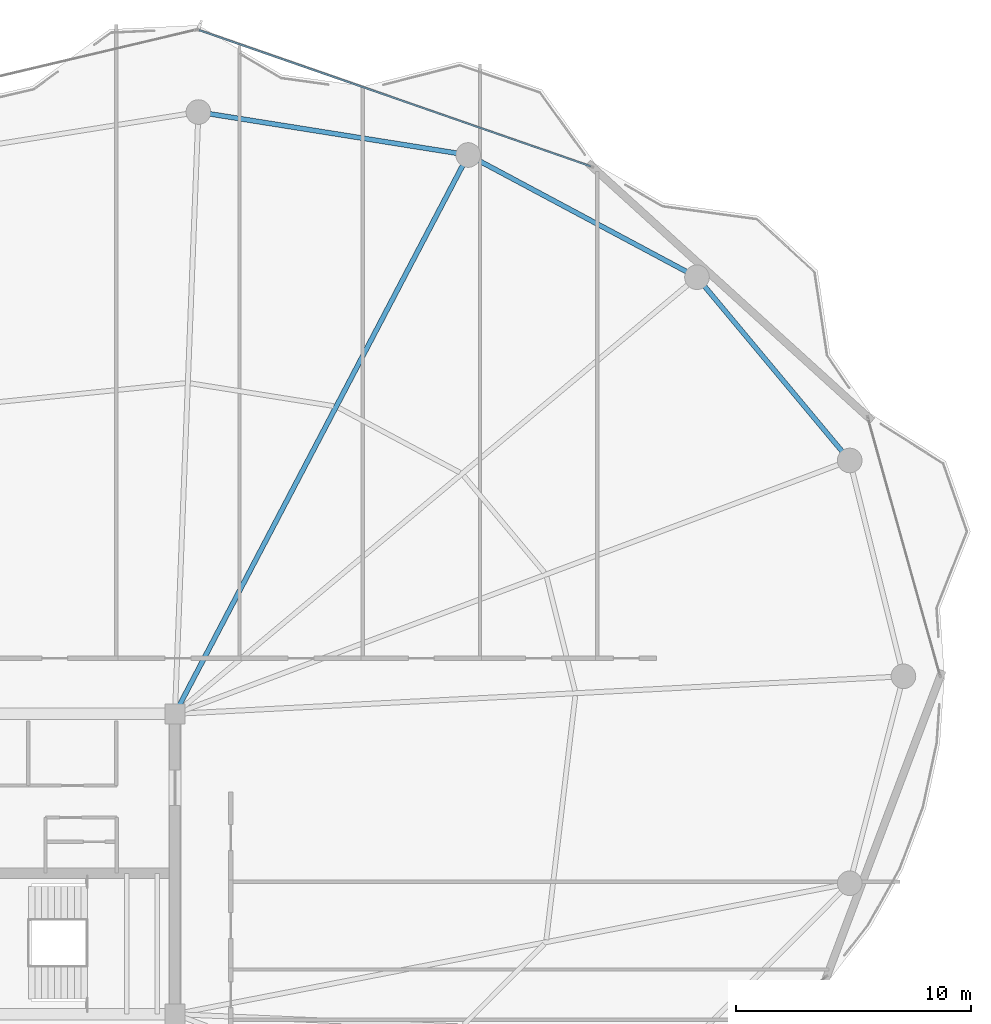
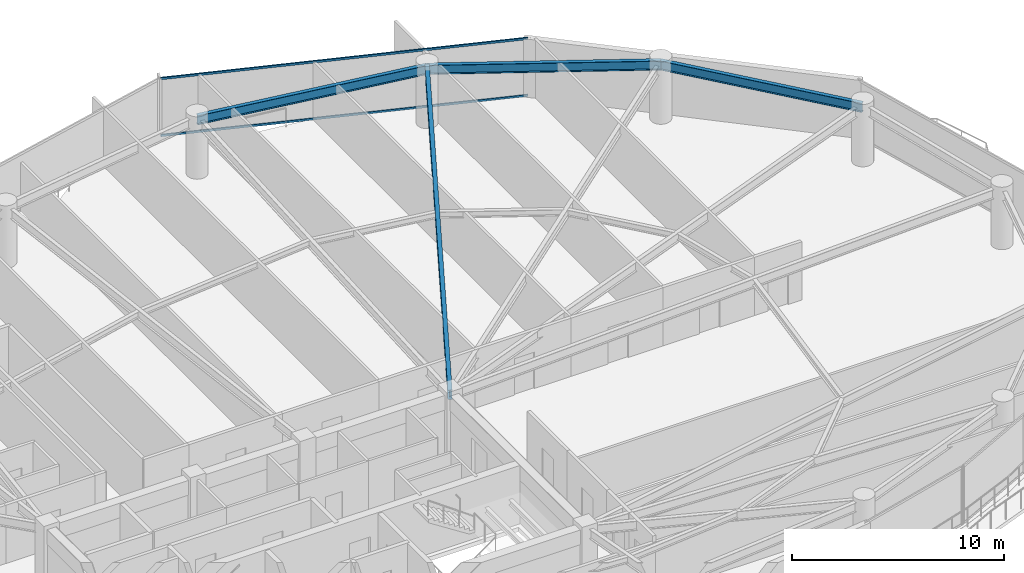
# One storey, part 20 of 29: 4 beams, 2 members, 1 element without a shape of its own.
"""IFC4 building model written with IfcOpenShell, lengths in metres."""

import ifcopenshell
import ifcopenshell.guid

model = None  # the IFC model being written
_history = None  # IfcOwnerHistory: only IFC2X3 demands one
_inside = {}  # id of a spatial element -> (the spatial element, [elements in it])
_under = {}  # id of a project, library or spatial element -> (it, [spatial elements below it])
_declared = {}  # id of a project -> (the project, [libraries it declares])
_typed = {}  # id of a type object -> (the type object, [elements of that type])
_made_of = {}  # id of a material, layer set ... -> (it, [elements and type objects made of it])


def new_model(schema):
    """Start an empty IFC model of exactly this schema.

    Asked for "IFC4X3", IfcOpenShell would pick the latest addendum, in which some entities
    have other attributes; the version numbers below select the first issue.
    IFC2X3 requires an IfcOwnerHistory on every rooted entity: one is made here for all.
    """
    global model, _history
    if schema == "IFC4X3":
        model = ifcopenshell.file(schema_version=(4, 3, 0, 0))
    else:
        model = ifcopenshell.file(schema=schema)
    _inside.clear()
    _under.clear()
    _declared.clear()
    _typed.clear()
    _made_of.clear()
    _history = None
    if model.schema == "IFC2X3":
        org = make("IfcOrganization", Name="unknown")
        user = make(
            "IfcPersonAndOrganization",
            ThePerson=make("IfcPerson", FamilyName="unknown"),
            TheOrganization=org,
        )
        app = make(
            "IfcApplication",
            ApplicationDeveloper=org,
            Version="unknown",
            ApplicationFullName="unknown",
            ApplicationIdentifier="unknown",
        )
        _history = make(
            "IfcOwnerHistory",
            OwningUser=user,
            OwningApplication=app,
            ChangeAction="ADDED",
            CreationDate=0,
        )
    return model


def make(cls, **values):
    """One entity of the class cls with the attributes given. An attribute that is None is left unset."""
    return model.create_entity(
        cls, **{name: value for name, value in values.items() if value is not None}
    )


def rooted(cls, **values):
    """An entity with a GlobalId (a new one), such as an element, a storey or a relation."""
    return make(cls, GlobalId=ifcopenshell.guid.new(), OwnerHistory=_history, **values)


def si_unit(unit_type, name, prefix=None):
    """IfcSIUnit, for example si_unit("LENGTHUNIT", "METRE", prefix="MILLI")."""
    return make("IfcSIUnit", UnitType=unit_type, Prefix=prefix, Name=name)


def assignment(units):
    """IfcUnitAssignment: the units of a project."""
    return None if units is None else make("IfcUnitAssignment", Units=units)


def point(xyz):
    """IfcCartesianPoint."""
    return None if xyz is None else make("IfcCartesianPoint", Coordinates=xyz)


def direction(xyz):
    """IfcDirection."""
    return None if xyz is None else make("IfcDirection", DirectionRatios=xyz)


def frame(location, z_axis=None, x_axis=None):
    """IfcAxis2Placement3D, a coordinate frame: its origin and axes. An axis left out is left unset."""
    return make(
        "IfcAxis2Placement3D",
        Location=point(location),
        Axis=direction(z_axis),
        RefDirection=direction(x_axis),
    )


def frame_2d(location, x_axis=None):
    """IfcAxis2Placement2D, a coordinate frame in the plane: its origin and x axis."""
    return make(
        "IfcAxis2Placement2D", Location=point(location), RefDirection=direction(x_axis)
    )


def origin():
    """The frame at (0, 0, 0) with its axes left unset."""
    return frame((0.0, 0.0, 0.0))


def origin_2d():
    """The frame at (0, 0) in the plane with its x axis left unset."""
    return frame_2d((0.0, 0.0))


def place(relative_to, where):
    """IfcLocalPlacement: puts the frame where relative to a parent placement (None: the world)."""
    return make(
        "IfcLocalPlacement", PlacementRelTo=relative_to, RelativePlacement=where
    )


def context(
    kind, dimensions, precision=None, world=None, true_north=None, identifier=None
):
    """IfcGeometricRepresentationContext, for example the 3D "Model" context."""
    return make(
        "IfcGeometricRepresentationContext",
        ContextIdentifier=identifier,
        ContextType=kind,
        CoordinateSpaceDimension=dimensions,
        Precision=precision,
        WorldCoordinateSystem=world,
        TrueNorth=true_north,
    )


def subcontext(parent, identifier, kind, view, scale=None):
    """IfcGeometricRepresentationSubContext, for example "Body" below "Model"."""
    return make(
        "IfcGeometricRepresentationSubContext",
        ContextIdentifier=identifier,
        ContextType=kind,
        ParentContext=parent,
        TargetScale=scale,
        TargetView=view,
    )


def project(units=None, contexts=None):
    """IfcProject with its units and contexts."""
    return rooted(
        "IfcProject",
        Name="project",
        RepresentationContexts=contexts,
        UnitsInContext=assignment(units),
    )


def spatial(cls, under=None, at=None, **own):
    """A site, building, storey or space (cls), placed at a placement, below another one or the project."""
    s = rooted(cls, ObjectPlacement=at, **own)
    if under is not None:
        _under.setdefault(under.id(), (under, []))[1].append(s)
    return s


def profile(cls, at=None, kind="AREA", **sizes):
    """A parametric profile (cls). Its sizes go by their IFC names, for example OverallWidth=200.0."""
    return make(cls, ProfileType=kind, Position=at, **sizes)


def hollow_rectangle(**sizes):
    """IfcRectangleHollowProfileDef."""
    return profile("IfcRectangleHollowProfileDef", **sizes)


def i_section(**sizes):
    """IfcIShapeProfileDef."""
    return profile("IfcIShapeProfileDef", **sizes)


def extrude(swept, where, along, depth):
    """IfcExtrudedAreaSolid: the profile swept, set in the frame where, extruded along a direction by depth."""
    return make(
        "IfcExtrudedAreaSolid",
        SweptArea=swept,
        Position=where,
        ExtrudedDirection=direction(along),
        Depth=depth,
    )


def shape(context_of_items, identifier, shape_type, items):
    """IfcShapeRepresentation: the items that make up one representation, for example the "Body"."""
    return make(
        "IfcShapeRepresentation",
        ContextOfItems=context_of_items,
        RepresentationIdentifier=identifier,
        RepresentationType=shape_type,
        Items=items,
    )


def material(Name=None, Category=None):
    """IfcMaterial."""
    return make("IfcMaterial", Name=Name, Category=Category)


def layer(
    of_material, thickness, ventilated=None, Name=None, Category=None, Priority=None
):
    """IfcMaterialLayer: one layer of a wall or slab, of a material (None: an air gap)."""
    return make(
        "IfcMaterialLayer",
        Material=of_material,
        LayerThickness=thickness,
        IsVentilated=ventilated,
        Name=Name,
        Category=Category,
        Priority=Priority,
    )


def layer_set(layers, Name=None):
    """IfcMaterialLayerSet."""
    return make("IfcMaterialLayerSet", MaterialLayers=layers, LayerSetName=Name)


def material_profile(
    of_material, cross_section, Name=None, Category=None, Priority=None
):
    """IfcMaterialProfile: a cross section and its material."""
    return make(
        "IfcMaterialProfile",
        Name=Name,
        Material=of_material,
        Profile=cross_section,
        Priority=Priority,
        Category=Category,
    )


def profile_set(profiles, Name=None, composite=None):
    """IfcMaterialProfileSet."""
    return make(
        "IfcMaterialProfileSet",
        Name=Name,
        MaterialProfiles=profiles,
        CompositeProfile=composite,
    )


def made_of(thing, what):
    """Note that an element or type object is made of a material, layer set ...; save() writes the relation."""
    if what is not None:
        _made_of.setdefault(what.id(), (what, []))[1].append(thing)
    return thing


def type_object(cls, material=None, **own):
    """A type object (cls), such as IfcWallType, which elements share."""
    return made_of(rooted(cls, **own), material)


def element(
    cls,
    number,
    at=None,
    inside=None,
    cuts=None,
    type_object=None,
    material=None,
    context=None,
    identifier="Body",
    shape_type=None,
    held_by="IfcProductDefinitionShape",
    body=None,
    shapes=None,
    **own,
):
    """One element of the class cls, such as IfcWall. Its Tag is "e" and its number.

    at: its placement. inside: the storey or other place that contains it. cuts: it is an
    opening in that element (IfcRelVoidsElement). A single representation is given by context,
    identifier, shape_type and body (its items); several are given by shapes. held_by: the class
    of the entity that holds the representations. save() writes the other relations.
    """
    e = rooted(cls, Tag="e%d" % number, ObjectPlacement=at, **own)
    if body is not None:
        shapes = [shape(context, identifier, shape_type, body)]
    if shapes is not None:
        e.Representation = make(held_by, Representations=shapes)
    if inside is not None:
        _inside.setdefault(inside.id(), (inside, []))[1].append(e)
    if cuts is not None:
        rooted(
            "IfcRelVoidsElement", RelatingBuildingElement=cuts, RelatedOpeningElement=e
        )
    if type_object is not None:
        _typed.setdefault(type_object.id(), (type_object, []))[1].append(e)
    return made_of(e, material)


def aggregate(whole, parts):
    """IfcRelAggregates: a whole, such as a stair, and the parts it consists of."""
    return rooted("IfcRelAggregates", RelatingObject=whole, RelatedObjects=parts)


def save(model, path):
    """Write the relations noted so far, then the file.

    IfcRelAggregates (storeys below a building ...), IfcRelContainedInSpatialStructure (elements
    in a storey), IfcRelDefinesByType, IfcRelAssociatesMaterial and IfcRelDeclares: one each for
    every whole, place, type object, material and project.
    """
    for whole, parts in _under.values():
        aggregate(whole, parts)
    for where, things in _inside.values():
        rooted(
            "IfcRelContainedInSpatialStructure",
            RelatedElements=things,
            RelatingStructure=where,
        )
    for kind, things in _typed.values():
        rooted("IfcRelDefinesByType", RelatedObjects=things, RelatingType=kind)
    for what, things in _made_of.values():
        rooted("IfcRelAssociatesMaterial", RelatedObjects=things, RelatingMaterial=what)
    for by, libraries in _declared.values():
        rooted("IfcRelDeclares", RelatingContext=by, RelatedDefinitions=libraries)
    model.write(path)


model = new_model("IFC4")

# Units and contexts
model_context = context("Model", 3, precision=1e-05, world=origin(), true_north=direction((0.0, 1.0)))
body_context = subcontext(model_context, "Body", "Model", "MODEL_VIEW")
ifc_project = project(units=[si_unit("LENGTHUNIT", "METRE"), si_unit("AREAUNIT", "SQUARE_METRE"), si_unit("VOLUMEUNIT", "CUBIC_METRE"), si_unit("PLANEANGLEUNIT", "RADIAN"), si_unit("MASSUNIT", "GRAM", prefix="KILO")], contexts=[model_context])

# Site, building, storey
site_placement = place(None, origin())
site = spatial("IfcSite", under=ifc_project, at=site_placement, CompositionType="ELEMENT")
building_placement = place(site_placement, origin())
building = spatial("IfcBuilding", under=site, at=building_placement, Name="Kazevale Care Tower and Concert Hall", CompositionType="ELEMENT")
storey_placement = place(building_placement, frame((0.0, 0.0, 199.199951171875)))
storey = spatial("IfcBuildingStorey", under=building, at=storey_placement, Name="L52", CompositionType="ELEMENT", Elevation=199.199951171875)

# Curtain wall, members
ifc_material_1 = material(Name="Aluminium 6063-T6 and Low-E Glass", Category="aluminium")
ifc_layer = layer(ifc_material_1, 0.179931640625)
ifc_layer_set = layer_set([ifc_layer], Name="Aluminium 6063-T6 and Low-E Glass")
curtain_wall_type = type_object("IfcCurtainWallType", Name="Convex Checkerboard Finned Curtain Wall CW-2", PredefinedType="NOTDEFINED", material=ifc_layer_set)
curtain_wall_placement = place(storey_placement, origin())
curtain_wall = element("IfcCurtainWall", 1, at=curtain_wall_placement, inside=storey, type_object=curtain_wall_type, Name="cw:L52:f16", PredefinedType="NOTDEFINED")
ifc_material_2 = material(Name="Aluminium 6063-T6", Category="aluminium")
ifc_material_profile_1 = material_profile(ifc_material_2, hollow_rectangle(XDim=0.074951171875, YDim=0.1201171875, WallThickness=0.00390625, at=origin_2d()), Name="ALU75x120x4")
ifc_profile_set_1 = profile_set([ifc_material_profile_1], Name="Aluminium 6063-T6")
member_type = type_object("IfcMemberType", Name="CW-2 Transom ALU75x120x4", PredefinedType="USERDEFINED", material=ifc_profile_set_1)
member_1_placement = place(storey_placement, frame((45.029541015625, 65.541748046875, 0.03759765625), z_axis=(0.944475733242, -0.328581176146, 0.0), x_axis=(0.328581176146, 0.944475733242, 0.0)))
member_1 = element("IfcMember", 2, at=member_1_placement, type_object=member_type, Name="CW-2 transom 1.1", ObjectType="TRANSOM", PredefinedType="USERDEFINED", context=body_context, shape_type="SweptSolid", body=[
    extrude(hollow_rectangle(XDim=0.074951171875, YDim=0.1201171875, WallThickness=0.00390625, at=origin_2d()), origin(), (0.0, 0.0, 1.0), 17.671142578125),
])
member_2_placement = place(storey_placement, frame((45.029541015625, 65.541748046875, 3.322509765625), z_axis=(0.944475733242, -0.328581176146, 0.0), x_axis=(0.328581176146, 0.944475733242, 0.0)))
member_2 = element("IfcMember", 3, at=member_2_placement, type_object=member_type, Name="CW-2 transom 1.2", ObjectType="TRANSOM", PredefinedType="USERDEFINED", context=body_context, shape_type="SweptSolid", body=[
    extrude(hollow_rectangle(XDim=0.074951171875, YDim=0.1201171875, WallThickness=0.00390625, at=origin_2d()), origin(), (0.0, 0.0, 1.0), 17.671142578125),
])
aggregate(curtain_wall, [member_1, member_2])

# Beams
ifc_material_3 = material(Name="Steel ASTM A572 Gr 50", Category="steel")
ifc_material_profile_2 = material_profile(ifc_material_3, i_section(OverallWidth=0.2119140625, OverallDepth=0.5439453125, WebThickness=0.01318359375, FlangeThickness=0.021240234375, at=origin_2d()), Name="W530x123")
ifc_profile_set_2 = profile_set([ifc_material_profile_2], Name="Steel ASTM A572 Gr 50")
beam_type_1 = type_object("IfcBeamType", Name="Radial Floor Girder W530x123", PredefinedType="BEAM", material=ifc_profile_set_2)
beam_1_placement = place(storey_placement, frame((44.0, 36.39990234375, 3.088134765625), z_axis=(0.464672566396, 0.885482583702, 0.0), x_axis=(-0.885482583702, 0.464672566396, 0.0)))
element("IfcBeam", 4, at=beam_1_placement, inside=storey, type_object=beam_type_1, Name="beam:L52:rad:04", PredefinedType="BEAM", context=body_context, shape_type="SweptSolid", body=[
    extrude(i_section(OverallWidth=0.2119140625, OverallDepth=0.5439453125, WebThickness=0.01318359375, FlangeThickness=0.021240234375, at=origin_2d()), origin(), (0.0, 0.0, 1.0), 26.900634765625),
])
ifc_material_profile_3 = material_profile(ifc_material_3, i_section(OverallWidth=0.208984375, OverallDepth=0.532958984375, WebThickness=0.01025390625, FlangeThickness=0.015625, at=origin_2d()), Name="W530x92")
ifc_profile_set_3 = profile_set([ifc_material_profile_3], Name="Steel ASTM A572 Gr 50")
beam_type_2 = type_object("IfcBeamType", Name="Upper Ring Beam W530x92", PredefinedType="BEAM", material=ifc_profile_set_3)
beam_2_placement = place(storey_placement, frame((72.760009765625, 47.199951171875, 3.093505859375), z_axis=(-0.640278868102, 0.768142546056, 0.0), x_axis=(-0.768142546056, -0.640278868102, 0.0)))
element("IfcBeam", 5, at=beam_2_placement, inside=storey, type_object=beam_type_2, Name="beam:L52:ring:02", PredefinedType="BEAM", context=body_context, shape_type="SweptSolid", body=[
    extrude(i_section(OverallWidth=0.208984375, OverallDepth=0.532958984375, WebThickness=0.01025390625, FlangeThickness=0.015625, at=origin_2d()), origin(), (0.0, 0.0, 1.0), 10.16748046875),
])
beam_3_placement = place(storey_placement, frame((66.25, 55.010009765625, 3.093505859375), z_axis=(-0.881978519833, 0.471289603697, 0.0), x_axis=(-0.471289603697, -0.881978519833, 0.0)))
element("IfcBeam", 6, at=beam_3_placement, inside=storey, type_object=beam_type_2, Name="beam:L52:ring:03", PredefinedType="BEAM", context=body_context, shape_type="SweptSolid", body=[
    extrude(i_section(OverallWidth=0.208984375, OverallDepth=0.532958984375, WebThickness=0.01025390625, FlangeThickness=0.015625, at=origin_2d()), origin(), (0.0, 0.0, 1.0), 11.0546875),
])
beam_4_placement = place(storey_placement, frame((56.5, 60.219970703125, 3.093505859375), z_axis=(-0.987573207584, 0.15715966296, 0.0), x_axis=(-0.15715966296, -0.987573207584, 0.0)))
element("IfcBeam", 7, at=beam_4_placement, inside=storey, type_object=beam_type_2, Name="beam:L52:ring:04", PredefinedType="BEAM", context=body_context, shape_type="SweptSolid", body=[
    extrude(i_section(OverallWidth=0.208984375, OverallDepth=0.532958984375, WebThickness=0.01025390625, FlangeThickness=0.015625, at=origin_2d()), origin(), (0.0, 0.0, 1.0), 11.644775390625),
])

save(model, "model.ifc")
